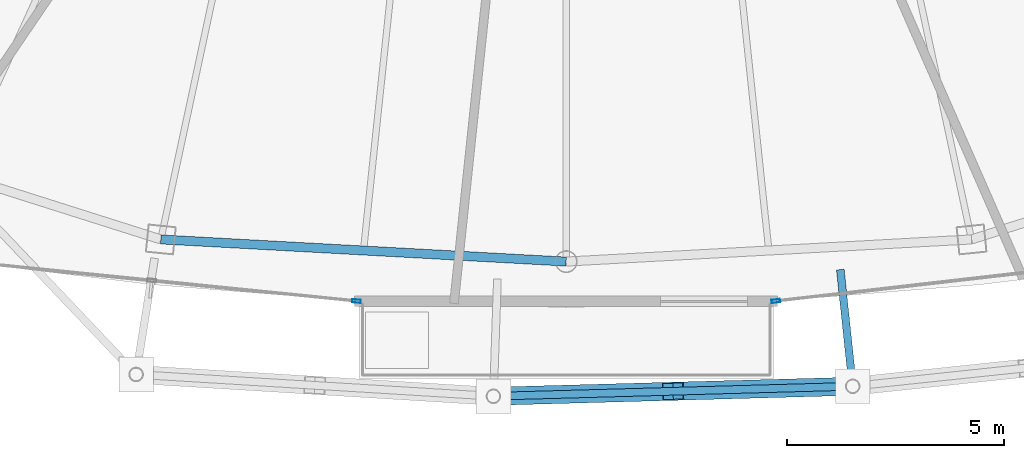
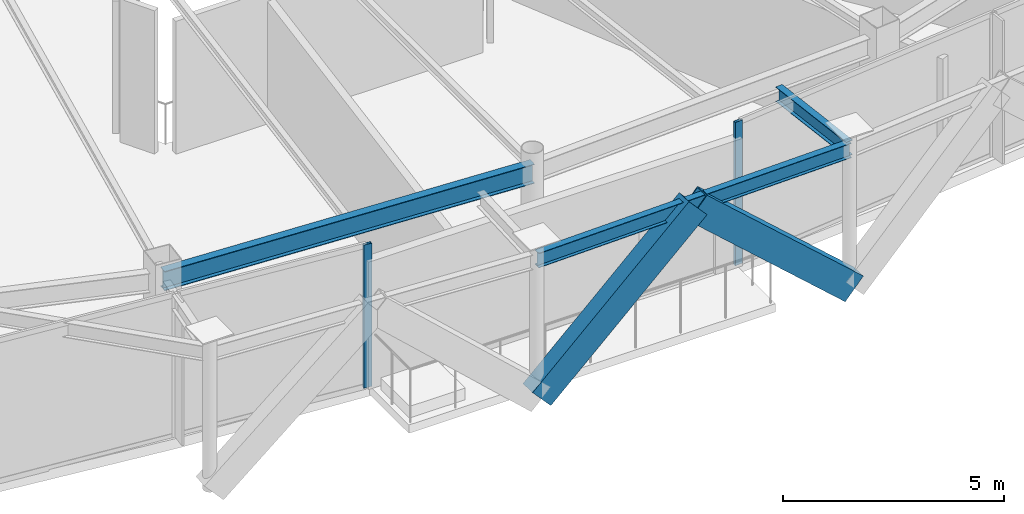
# One storey, part 6 of 22: 4 members, 3 beams, 2 elements without a shape of their own.
"""IFC4 building model written with IfcOpenShell, lengths in metres."""

from ifc_helpers import new_model, si_unit, direction, frame, origin, origin_2d, place, context, subcontext, project, spatial, hollow_rectangle, i_section, extrude, material, layer, layer_set, material_profile, profile_set, type_object, element, aggregate, save


model = new_model("IFC4")

# Units and contexts
model_context = context("Model", 3, precision=1e-05, world=origin(), true_north=direction((0.0, 1.0)))
body_context = subcontext(model_context, "Body", "Model", "MODEL_VIEW")
ifc_project = project(units=[si_unit("LENGTHUNIT", "METRE"), si_unit("AREAUNIT", "SQUARE_METRE"), si_unit("VOLUMEUNIT", "CUBIC_METRE"), si_unit("PLANEANGLEUNIT", "RADIAN"), si_unit("MASSUNIT", "GRAM", prefix="KILO")], contexts=[model_context])

# Site, building, storey
site_placement = place(None, origin())
site = spatial("IfcSite", under=ifc_project, at=site_placement, CompositionType="ELEMENT")
building_placement = place(site_placement, origin())
building = spatial("IfcBuilding", under=site, at=building_placement, Name="Orvanel Arch Residences", CompositionType="ELEMENT")
storey_placement = place(building_placement, frame((0.0, 0.0, 276.64990234375)))
storey = spatial("IfcBuildingStorey", under=building, at=storey_placement, Name="L79", CompositionType="ELEMENT", Elevation=276.64990234375)

# Members
ifc_material_1 = material(Name="Structural steel AS/NZS 3678 Grade 350", Category="steel")
ifc_material_profile_1 = material_profile(ifc_material_1, hollow_rectangle(XDim=0.419921875, YDim=0.719970703125, WallThickness=0.02490234375, at=origin_2d()), Name="RHS720x420x25")
ifc_profile_set_1 = profile_set([ifc_material_profile_1], Name="Structural steel AS/NZS 3678 Grade 350")
member_type_1 = type_object("IfcMemberType", Name="BR-720RHS-EXT", PredefinedType="BRACE", material=ifc_profile_set_1)
for number, where, z_axis, x_axis, name in (
    (1, (31.322021484375, 3.737060546875, 0.0), (0.741583666278, 0.020577701592, 0.670544721929), (-0.027737644449, 0.999615237519, 0.0), "L79 Exterior Sky-Garden V-Frame Chevron F2B2.1"),
    (2, (39.610107421875, 3.967041015625, 0.0), (-0.741583666278, -0.020577701592, 0.670544721929), (0.027737644449, -0.999615237519, 0.0), "L79 Exterior Sky-Garden V-Frame Chevron F2B2.2"),
):
    element("IfcMember", number, at=place(storey_placement, frame(where, z_axis=z_axis, x_axis=x_axis)), inside=storey, type_object=member_type_1, Name=name, PredefinedType="BRACE", context=body_context, shape_type="SweptSolid", body=[
        extrude(hollow_rectangle(XDim=0.419921875, YDim=0.719970703125, WallThickness=0.02490234375, at=origin_2d()), origin(), (0.0, 0.0, 1.0), 5.588134765625),
    ])

# Curtain wall, member
ifc_material_2 = material(Name="Bronze-anodised aluminium AA6063-T6", Category="aluminium")
ifc_layer = layer(ifc_material_2, 0.195068359375)
ifc_layer_set = layer_set([ifc_layer], Name="Bronze-anodised aluminium AA6063-T6")
curtain_wall_type = type_object("IfcCurtainWallType", Name="CW6-COM-SYS", PredefinedType="NOTDEFINED", material=ifc_layer_set)
curtain_wall_1_placement = place(storey_placement, origin())
curtain_wall_1 = element("IfcCurtainWall", 3, at=curtain_wall_1_placement, inside=storey, type_object=curtain_wall_type, Name="L79 CW6-COM-SYS Unitised Curtain Wall", PredefinedType="NOTDEFINED")
ifc_material_profile_2 = material_profile(ifc_material_2, hollow_rectangle(XDim=0.074951171875, YDim=0.199951171875, WallThickness=0.0048828125, at=origin_2d()), Name="ALU200x75x5")
ifc_profile_set_2 = profile_set([ifc_material_profile_2], Name="Bronze-anodised aluminium AA6063-T6")
member_type_2 = type_object("IfcMemberType", Name="MUL-200x75", PredefinedType="MULLION", material=ifc_profile_set_2)
member_1_placement = place(storey_placement, frame((28.16259765625, 5.931640625, 0.0), z_axis=(0.0, 0.0, 1.0), x_axis=(0.100321070404, 0.994955115989, 0.0)))
member_1 = element("IfcMember", 4, at=member_1_placement, type_object=member_type_2, Name="CW-S6 mullion 3", PredefinedType="MULLION", context=body_context, shape_type="SweptSolid", body=[
    extrude(hollow_rectangle(XDim=0.074951171875, YDim=0.199951171875, WallThickness=0.0048828125, at=origin_2d()), origin(), (0.0, 0.0, 1.0), 3.9501953125),
])
aggregate(curtain_wall_1, [member_1])

curtain_wall_2_placement = place(storey_placement, origin())
curtain_wall_2 = element("IfcCurtainWall", 5, at=curtain_wall_2_placement, inside=storey, type_object=curtain_wall_type, Name="L79 CW6-COM-SYS Unitised Curtain Wall", PredefinedType="NOTDEFINED")
member_2_placement = place(storey_placement, frame((37.837158203125, 5.932373046875, 0.0), z_axis=(0.0, 0.0, 1.0), x_axis=(-0.113991298337, 0.993481748148, 0.0)))
member_2 = element("IfcMember", 6, at=member_2_placement, type_object=member_type_2, Name="CW-S6 mullion 1", PredefinedType="MULLION", context=body_context, shape_type="SweptSolid", body=[
    extrude(hollow_rectangle(XDim=0.074951171875, YDim=0.199951171875, WallThickness=0.0048828125, at=origin_2d()), origin(), (0.0, 0.0, 1.0), 3.9501953125),
])
aggregate(curtain_wall_2, [member_2])

# Beams
ifc_material_3 = material(Name="Structural steel AS/NZS 3679.1 Grade 300 (300 MPa)", Category="steel")
ifc_material_profile_3 = material_profile(ifc_material_3, i_section(OverallWidth=0.177978515625, OverallDepth=0.406005859375, WebThickness=0.0078125, FlangeThickness=0.0126953125, at=origin_2d()), Name="410UB59.7")
ifc_profile_set_3 = profile_set([ifc_material_profile_3], Name="Structural steel AS/NZS 3679.1 Grade 300 (300 MPa)")
beam_type_1 = type_object("IfcBeamType", Name="OB-410UB-EXT", PredefinedType="SPANDREL", material=ifc_profile_set_3)
beam_1_placement = place(storey_placement, frame((31.322021484375, 3.737060546875, 3.7470703125), z_axis=(0.999615237519, 0.027737644449, 0.0), x_axis=(-0.027737644449, 0.999615237519, 0.0)))
element("IfcBeam", 7, at=beam_1_placement, inside=storey, type_object=beam_type_1, Name="L79 Outer Perimeter Floor Ring Beam 06", PredefinedType="SPANDREL", context=body_context, shape_type="SweptSolid", body=[
    extrude(i_section(OverallWidth=0.177978515625, OverallDepth=0.406005859375, WebThickness=0.0078125, FlangeThickness=0.0126953125, at=origin_2d()), origin(), (0.0, 0.0, 1.0), 8.291259765625),
])
beam_2_placement = place(storey_placement, frame((39.323974609375, 6.658935546875, 3.7470703125), z_axis=(0.105698774161, -0.994398194458, 0.0), x_axis=(0.994398194458, 0.105698774161, 0.0)))
element("IfcBeam", 8, at=beam_2_placement, inside=storey, type_object=beam_type_1, Name="L79 Outer Frame Radial Tie Beam 07", PredefinedType="SPANDREL", context=body_context, shape_type="SweptSolid", body=[
    extrude(i_section(OverallWidth=0.177978515625, OverallDepth=0.406005859375, WebThickness=0.0078125, FlangeThickness=0.0126953125, at=origin_2d()), origin(), (0.0, 0.0, 1.0), 2.70703125),
])
ifc_material_profile_4 = material_profile(ifc_material_3, i_section(OverallWidth=0.208984375, OverallDepth=0.532958984375, WebThickness=0.01025390625, FlangeThickness=0.015625, at=origin_2d()), Name="530UB92.4")
ifc_profile_set_4 = profile_set([ifc_material_profile_4], Name="Structural steel AS/NZS 3679.1 Grade 300 (300 MPa)")
beam_type_2 = type_object("IfcBeamType", Name="SP-530UB", PredefinedType="SPANDREL", material=ifc_profile_set_4)
beam_3_placement = place(storey_placement, frame((23.64892578125, 7.35498046875, 3.68408203125), z_axis=(0.998510315598, -0.054563262768, 0.0), x_axis=(0.054563262768, 0.998510315598, 0.0)))
element("IfcBeam", 9, at=beam_3_placement, inside=storey, type_object=beam_type_2, Name="L79 Perimeter Spandrel Beam 03", PredefinedType="SPANDREL", context=body_context, shape_type="SweptSolid", body=[
    extrude(i_section(OverallWidth=0.208984375, OverallDepth=0.532958984375, WebThickness=0.01025390625, FlangeThickness=0.015625, at=origin_2d()), origin(), (0.0, 0.0, 1.0), 9.364990234375),
])

save(model, "model.ifc")
